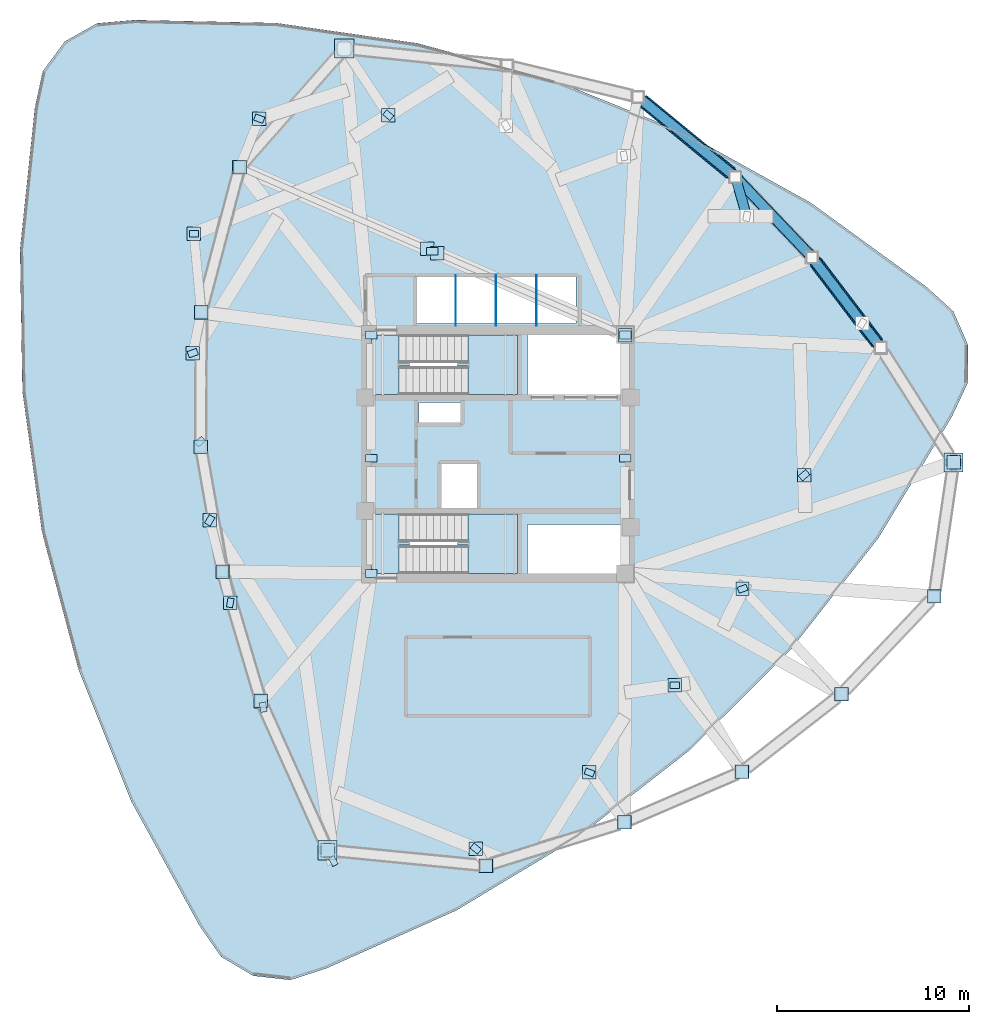
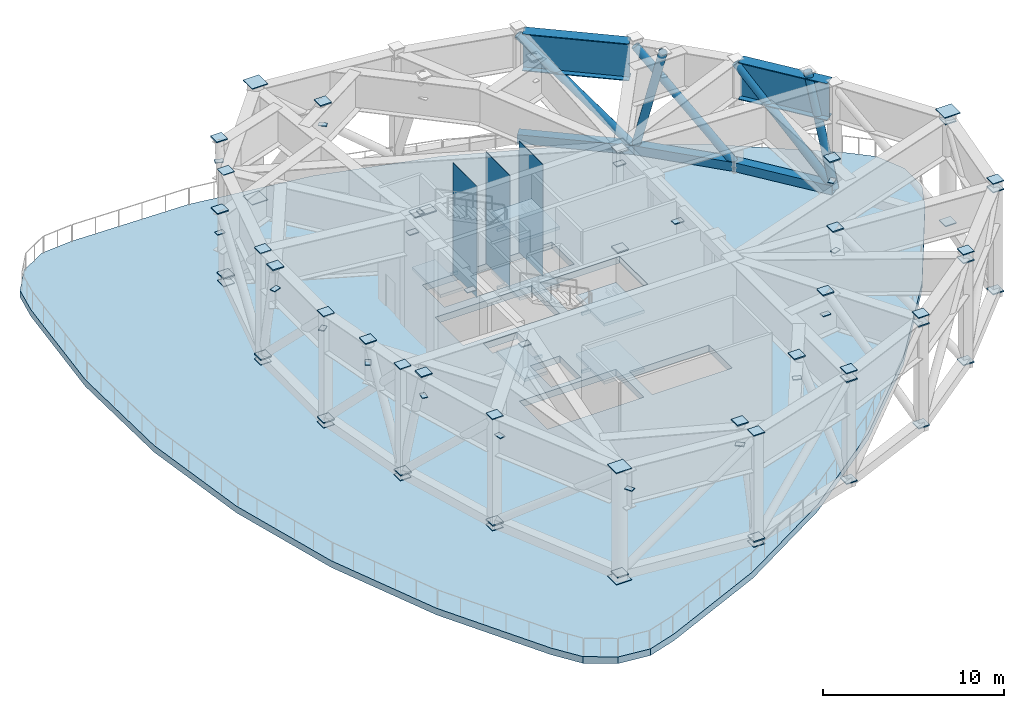
# One storey, part 3 of 8: 76 plates, 8 members, 7 slabs, 2 beams, 2 elements without a shape of their own.
"""IFC4 building model written with IfcOpenShell, lengths in metres."""

import ifcopenshell
import ifcopenshell.guid

model = None  # the IFC model being written
_history = None  # IfcOwnerHistory: only IFC2X3 demands one
_inside = {}  # id of a spatial element -> (the spatial element, [elements in it])
_under = {}  # id of a project, library or spatial element -> (it, [spatial elements below it])
_declared = {}  # id of a project -> (the project, [libraries it declares])
_typed = {}  # id of a type object -> (the type object, [elements of that type])
_made_of = {}  # id of a material, layer set ... -> (it, [elements and type objects made of it])


def new_model(schema):
    """Start an empty IFC model of exactly this schema.

    Asked for "IFC4X3", IfcOpenShell would pick the latest addendum, in which some entities
    have other attributes; the version numbers below select the first issue.
    IFC2X3 requires an IfcOwnerHistory on every rooted entity: one is made here for all.
    """
    global model, _history
    if schema == "IFC4X3":
        model = ifcopenshell.file(schema_version=(4, 3, 0, 0))
    else:
        model = ifcopenshell.file(schema=schema)
    _inside.clear()
    _under.clear()
    _declared.clear()
    _typed.clear()
    _made_of.clear()
    _history = None
    if model.schema == "IFC2X3":
        org = make("IfcOrganization", Name="unknown")
        user = make(
            "IfcPersonAndOrganization",
            ThePerson=make("IfcPerson", FamilyName="unknown"),
            TheOrganization=org,
        )
        app = make(
            "IfcApplication",
            ApplicationDeveloper=org,
            Version="unknown",
            ApplicationFullName="unknown",
            ApplicationIdentifier="unknown",
        )
        _history = make(
            "IfcOwnerHistory",
            OwningUser=user,
            OwningApplication=app,
            ChangeAction="ADDED",
            CreationDate=0,
        )
    return model


def make(cls, **values):
    """One entity of the class cls with the attributes given. An attribute that is None is left unset."""
    return model.create_entity(
        cls, **{name: value for name, value in values.items() if value is not None}
    )


def rooted(cls, **values):
    """An entity with a GlobalId (a new one), such as an element, a storey or a relation."""
    return make(cls, GlobalId=ifcopenshell.guid.new(), OwnerHistory=_history, **values)


def si_unit(unit_type, name, prefix=None):
    """IfcSIUnit, for example si_unit("LENGTHUNIT", "METRE", prefix="MILLI")."""
    return make("IfcSIUnit", UnitType=unit_type, Prefix=prefix, Name=name)


def assignment(units):
    """IfcUnitAssignment: the units of a project."""
    return None if units is None else make("IfcUnitAssignment", Units=units)


def point(xyz):
    """IfcCartesianPoint."""
    return None if xyz is None else make("IfcCartesianPoint", Coordinates=xyz)


def direction(xyz):
    """IfcDirection."""
    return None if xyz is None else make("IfcDirection", DirectionRatios=xyz)


def frame(location, z_axis=None, x_axis=None):
    """IfcAxis2Placement3D, a coordinate frame: its origin and axes. An axis left out is left unset."""
    return make(
        "IfcAxis2Placement3D",
        Location=point(location),
        Axis=direction(z_axis),
        RefDirection=direction(x_axis),
    )


def frame_2d(location, x_axis=None):
    """IfcAxis2Placement2D, a coordinate frame in the plane: its origin and x axis."""
    return make(
        "IfcAxis2Placement2D", Location=point(location), RefDirection=direction(x_axis)
    )


def origin():
    """The frame at (0, 0, 0) with its axes left unset."""
    return frame((0.0, 0.0, 0.0))


def origin_2d():
    """The frame at (0, 0) in the plane with its x axis left unset."""
    return frame_2d((0.0, 0.0))


def place(relative_to, where):
    """IfcLocalPlacement: puts the frame where relative to a parent placement (None: the world)."""
    return make(
        "IfcLocalPlacement", PlacementRelTo=relative_to, RelativePlacement=where
    )


def context(
    kind, dimensions, precision=None, world=None, true_north=None, identifier=None
):
    """IfcGeometricRepresentationContext, for example the 3D "Model" context."""
    return make(
        "IfcGeometricRepresentationContext",
        ContextIdentifier=identifier,
        ContextType=kind,
        CoordinateSpaceDimension=dimensions,
        Precision=precision,
        WorldCoordinateSystem=world,
        TrueNorth=true_north,
    )


def subcontext(parent, identifier, kind, view, scale=None):
    """IfcGeometricRepresentationSubContext, for example "Body" below "Model"."""
    return make(
        "IfcGeometricRepresentationSubContext",
        ContextIdentifier=identifier,
        ContextType=kind,
        ParentContext=parent,
        TargetScale=scale,
        TargetView=view,
    )


def project(units=None, contexts=None):
    """IfcProject with its units and contexts."""
    return rooted(
        "IfcProject",
        Name="project",
        RepresentationContexts=contexts,
        UnitsInContext=assignment(units),
    )


def spatial(cls, under=None, at=None, **own):
    """A site, building, storey or space (cls), placed at a placement, below another one or the project."""
    s = rooted(cls, ObjectPlacement=at, **own)
    if under is not None:
        _under.setdefault(under.id(), (under, []))[1].append(s)
    return s


def polyline(points):
    """IfcPolyline through the points."""
    return make("IfcPolyline", Points=[point(p) for p in points])


def profile(cls, at=None, kind="AREA", **sizes):
    """A parametric profile (cls). Its sizes go by their IFC names, for example OverallWidth=200.0."""
    return make(cls, ProfileType=kind, Position=at, **sizes)


def rectangle(**sizes):
    """IfcRectangleProfileDef."""
    return profile("IfcRectangleProfileDef", **sizes)


def hollow_rectangle(**sizes):
    """IfcRectangleHollowProfileDef."""
    return profile("IfcRectangleHollowProfileDef", **sizes)


def hollow_circle(**sizes):
    """IfcCircleHollowProfileDef."""
    return profile("IfcCircleHollowProfileDef", **sizes)


def i_section(**sizes):
    """IfcIShapeProfileDef."""
    return profile("IfcIShapeProfileDef", **sizes)


def outline(outer, holes=None, kind="AREA"):
    """IfcArbitraryClosedProfileDef: a profile drawn as a closed curve; with holes, ...WithVoids."""
    if holes is None:
        return make("IfcArbitraryClosedProfileDef", ProfileType=kind, OuterCurve=outer)
    return make(
        "IfcArbitraryProfileDefWithVoids",
        ProfileType=kind,
        OuterCurve=outer,
        InnerCurves=holes,
    )


def extrude(swept, where, along, depth):
    """IfcExtrudedAreaSolid: the profile swept, set in the frame where, extruded along a direction by depth."""
    return make(
        "IfcExtrudedAreaSolid",
        SweptArea=swept,
        Position=where,
        ExtrudedDirection=direction(along),
        Depth=depth,
    )


def shape(context_of_items, identifier, shape_type, items):
    """IfcShapeRepresentation: the items that make up one representation, for example the "Body"."""
    return make(
        "IfcShapeRepresentation",
        ContextOfItems=context_of_items,
        RepresentationIdentifier=identifier,
        RepresentationType=shape_type,
        Items=items,
    )


def source(mapping_origin, context_of_items, identifier, shape_type, items):
    """IfcRepresentationMap: a shape defined once, which mapped items show again and again."""
    return make(
        "IfcRepresentationMap",
        MappingOrigin=mapping_origin,
        MappedRepresentation=shape(context_of_items, identifier, shape_type, items),
    )


def transform(
    local_origin,
    x_axis=None,
    y_axis=None,
    z_axis=None,
    scale=None,
    scale2=None,
    scale3=None,
    uniform=True,
):
    """IfcCartesianTransformationOperator3D, or its non-uniform kind. x_axis, y_axis, z_axis: its Axis1, 2, 3."""
    if uniform:
        return make(
            "IfcCartesianTransformationOperator3D",
            Axis1=direction(x_axis),
            Axis2=direction(y_axis),
            LocalOrigin=point(local_origin),
            Scale=scale,
            Axis3=direction(z_axis),
        )
    return make(
        "IfcCartesianTransformationOperator3DnonUniform",
        Axis1=direction(x_axis),
        Axis2=direction(y_axis),
        LocalOrigin=point(local_origin),
        Scale=scale,
        Axis3=direction(z_axis),
        Scale2=scale2,
        Scale3=scale3,
    )


def mapped(mapping_source, mapping_target):
    """IfcMappedItem: shows the shape of a source again, moved by a transform."""
    return make(
        "IfcMappedItem", MappingSource=mapping_source, MappingTarget=mapping_target
    )


def material(Name=None, Category=None):
    """IfcMaterial."""
    return make("IfcMaterial", Name=Name, Category=Category)


def layer(
    of_material, thickness, ventilated=None, Name=None, Category=None, Priority=None
):
    """IfcMaterialLayer: one layer of a wall or slab, of a material (None: an air gap)."""
    return make(
        "IfcMaterialLayer",
        Material=of_material,
        LayerThickness=thickness,
        IsVentilated=ventilated,
        Name=Name,
        Category=Category,
        Priority=Priority,
    )


def layer_set(layers, Name=None):
    """IfcMaterialLayerSet."""
    return make("IfcMaterialLayerSet", MaterialLayers=layers, LayerSetName=Name)


def material_profile(
    of_material, cross_section, Name=None, Category=None, Priority=None
):
    """IfcMaterialProfile: a cross section and its material."""
    return make(
        "IfcMaterialProfile",
        Name=Name,
        Material=of_material,
        Profile=cross_section,
        Priority=Priority,
        Category=Category,
    )


def profile_set(profiles, Name=None, composite=None):
    """IfcMaterialProfileSet."""
    return make(
        "IfcMaterialProfileSet",
        Name=Name,
        MaterialProfiles=profiles,
        CompositeProfile=composite,
    )


def made_of(thing, what):
    """Note that an element or type object is made of a material, layer set ...; save() writes the relation."""
    if what is not None:
        _made_of.setdefault(what.id(), (what, []))[1].append(thing)
    return thing


def type_object(cls, material=None, **own):
    """A type object (cls), such as IfcWallType, which elements share."""
    return made_of(rooted(cls, **own), material)


def type_shapes(of_type, sources):
    """Give a type object the sources (RepresentationMaps) that its elements show as mapped items."""
    of_type.RepresentationMaps = sources


def element(
    cls,
    number,
    at=None,
    inside=None,
    cuts=None,
    type_object=None,
    material=None,
    context=None,
    identifier="Body",
    shape_type=None,
    held_by="IfcProductDefinitionShape",
    body=None,
    shapes=None,
    **own,
):
    """One element of the class cls, such as IfcWall. Its Tag is "e" and its number.

    at: its placement. inside: the storey or other place that contains it. cuts: it is an
    opening in that element (IfcRelVoidsElement). A single representation is given by context,
    identifier, shape_type and body (its items); several are given by shapes. held_by: the class
    of the entity that holds the representations. save() writes the other relations.
    """
    e = rooted(cls, Tag="e%d" % number, ObjectPlacement=at, **own)
    if body is not None:
        shapes = [shape(context, identifier, shape_type, body)]
    if shapes is not None:
        e.Representation = make(held_by, Representations=shapes)
    if inside is not None:
        _inside.setdefault(inside.id(), (inside, []))[1].append(e)
    if cuts is not None:
        rooted(
            "IfcRelVoidsElement", RelatingBuildingElement=cuts, RelatedOpeningElement=e
        )
    if type_object is not None:
        _typed.setdefault(type_object.id(), (type_object, []))[1].append(e)
    return made_of(e, material)


def aggregate(whole, parts):
    """IfcRelAggregates: a whole, such as a stair, and the parts it consists of."""
    return rooted("IfcRelAggregates", RelatingObject=whole, RelatedObjects=parts)


def save(model, path):
    """Write the relations noted so far, then the file.

    IfcRelAggregates (storeys below a building ...), IfcRelContainedInSpatialStructure (elements
    in a storey), IfcRelDefinesByType, IfcRelAssociatesMaterial and IfcRelDeclares: one each for
    every whole, place, type object, material and project.
    """
    for whole, parts in _under.values():
        aggregate(whole, parts)
    for where, things in _inside.values():
        rooted(
            "IfcRelContainedInSpatialStructure",
            RelatedElements=things,
            RelatingStructure=where,
        )
    for kind, things in _typed.values():
        rooted("IfcRelDefinesByType", RelatedObjects=things, RelatingType=kind)
    for what, things in _made_of.values():
        rooted("IfcRelAssociatesMaterial", RelatedObjects=things, RelatingMaterial=what)
    for by, libraries in _declared.values():
        rooted("IfcRelDeclares", RelatingContext=by, RelatedDefinitions=libraries)
    model.write(path)


model = new_model("IFC4")

# Units and contexts
model_context = context("Model", 3, precision=1e-05, world=origin(), true_north=direction((0.0, 1.0)))
body_context = subcontext(model_context, "Body", "Model", "MODEL_VIEW")
ifc_project = project(units=[si_unit("LENGTHUNIT", "METRE"), si_unit("AREAUNIT", "SQUARE_METRE"), si_unit("VOLUMEUNIT", "CUBIC_METRE"), si_unit("PLANEANGLEUNIT", "RADIAN"), si_unit("MASSUNIT", "GRAM", prefix="KILO")], contexts=[model_context])

# Site, building, storey
site_placement = place(None, origin())
site = spatial("IfcSite", under=ifc_project, at=site_placement, CompositionType="ELEMENT")
building_placement = place(site_placement, origin())
building = spatial("IfcBuilding", under=site, at=building_placement, Name="Tavelor Broadcast Tower", CompositionType="ELEMENT")
storey_placement = place(building_placement, frame((0.0, 0.0, 209.14990234375)))
storey = spatial("IfcBuildingStorey", under=building, at=storey_placement, Name="L50", CompositionType="ELEMENT", Elevation=209.14990234375)

# Beams
ifc_material_1 = material(Name="Steel S460", Category="steel")
ifc_material_profile_1 = material_profile(ifc_material_1, i_section(OverallWidth=0.699951171875, OverallDepth=2.5, WebThickness=0.031982421875, FlangeThickness=0.052001953125, at=origin_2d()), Name="PG 2500x700")
ifc_profile_set_1 = profile_set([ifc_material_profile_1], Name="Steel S460")
beam_type = type_object("IfcBeamType", Name="Opposite Slide Transfer Girder HEB900", PredefinedType="BEAM", material=ifc_profile_set_1)
beam_1_placement = place(storey_placement, frame((69.711669921875, 50.7734375, 6.25), z_axis=(-0.605502841959, 0.795843143075, 0.0), x_axis=(-0.795843143075, -0.605502841959, 0.0)))
element("IfcBeam", 1, at=beam_1_placement, inside=storey, type_object=beam_type, Name="L50 Framed-Tube Ring Spandrel 14", PredefinedType="BEAM", context=body_context, shape_type="SweptSolid", body=[
    extrude(i_section(OverallWidth=0.699951171875, OverallDepth=2.5, WebThickness=0.031982421875, FlangeThickness=0.052001953125, at=origin_2d()), origin(), (0.0, 0.0, 1.0), 5.310302734375),
])
beam_2_placement = place(storey_placement, frame((62.1083984375, 59.59912109375, 6.25), z_axis=(-0.772717651191, 0.634749896839, 0.0), x_axis=(-0.634749896839, -0.772717651191, 0.0)))
element("IfcBeam", 2, at=beam_2_placement, inside=storey, type_object=beam_type, Name="L50 Framed-Tube Ring Spandrel 16", PredefinedType="BEAM", context=body_context, shape_type="SweptSolid", body=[
    extrude(i_section(OverallWidth=0.699951171875, OverallDepth=2.5, WebThickness=0.031982421875, FlangeThickness=0.052001953125, at=origin_2d()), origin(), (0.0, 0.0, 1.0), 5.965087890625),
])

# Members
ifc_material_profile_2 = material_profile(ifc_material_1, hollow_rectangle(XDim=0.60009765625, YDim=0.60009765625, WallThickness=0.035888671875, at=origin_2d()), Name="SHS 600x600x36")
ifc_profile_set_2 = profile_set([ifc_material_profile_2], Name="Steel S460")
member_type_1 = type_object("IfcMemberType", Name="Wind Floor Belt Truss Chord Member SHS600", PredefinedType="CHORD", material=ifc_profile_set_2)
member_1_placement = place(storey_placement, frame((69.885986328125, 50.544189453125, 0.35009765625), z_axis=(-0.605480714733, 0.795859977689, 0.0), x_axis=(-0.795859977689, -0.605480714733, 0.0)))
element("IfcMember", 3, at=member_1_placement, inside=storey, type_object=member_type_1, Name="L50 Belt Truss Lower Chord Member 14", PredefinedType="CHORD", context=body_context, shape_type="SweptSolid", body=[
    extrude(hollow_rectangle(XDim=0.60009765625, YDim=0.60009765625, WallThickness=0.035888671875, at=origin_2d()), origin(), (0.0, 0.0, 1.0), 5.88623046875),
])
member_2_placement = place(storey_placement, frame((66.322021484375, 55.228759765625, 0.35009765625), z_axis=(-0.68993754503, 0.723868899704, 0.0), x_axis=(-0.723868899704, -0.68993754503, 0.0)))
element("IfcMember", 4, at=member_2_placement, inside=storey, type_object=member_type_1, Name="L50 Belt Truss Lower Chord Member 15", PredefinedType="CHORD", context=body_context, shape_type="SweptSolid", body=[
    extrude(hollow_rectangle(XDim=0.60009765625, YDim=0.60009765625, WallThickness=0.035888671875, at=origin_2d()), origin(), (0.0, 0.0, 1.0), 5.784912109375),
])
member_3_placement = place(storey_placement, frame((62.330810546875, 59.416259765625, 0.35009765625), z_axis=(-0.772693562508, 0.634779220248, 0.0), x_axis=(-0.634779220248, -0.772693562508, 0.0)))
element("IfcMember", 5, at=member_3_placement, inside=storey, type_object=member_type_1, Name="L50 Belt Truss Lower Chord Member 16", PredefinedType="CHORD", context=body_context, shape_type="SweptSolid", body=[
    extrude(hollow_rectangle(XDim=0.60009765625, YDim=0.60009765625, WallThickness=0.035888671875, at=origin_2d()), origin(), (0.0, 0.0, 1.0), 6.541015625),
])
ifc_material_profile_3 = material_profile(ifc_material_1, hollow_circle(Radius=0.25390625, WallThickness=0.02490234375, at=origin_2d()), Name="CHS 508x25")
ifc_profile_set_3 = profile_set([ifc_material_profile_3], Name="Steel S460")
member_type_2 = type_object("IfcMemberType", Name="Wind Floor Belt Truss Diagonal CHS508", PredefinedType="BRACE", material=ifc_profile_set_3)
member_4_placement = place(storey_placement, frame((69.885986328125, 50.544189453125, 0.35009765625), z_axis=(-0.394607950755, 0.518683200376, 0.758453889731), x_axis=(-0.795859977689, -0.605480714733, 0.0)))
element("IfcMember", 6, at=member_4_placement, inside=storey, type_object=member_type_2, Name="L50 Belt Truss Web Diagonal 14", PredefinedType="BRACE", context=body_context, shape_type="SweptSolid", body=[
    extrude(hollow_circle(Radius=0.25390625, WallThickness=0.02490234375, at=origin_2d()), origin(), (0.0, 0.0, 1.0), 9.03173828125),
])
member_5_placement = place(storey_placement, frame((66.322021484375, 55.228759765625, 0.35009765625), z_axis=(-0.44515065752, 0.467043312808, 0.764010102074), x_axis=(-0.723868899704, -0.68993754503, 0.0)))
element("IfcMember", 7, at=member_5_placement, inside=storey, type_object=member_type_2, Name="L50 Belt Truss Web Diagonal 15", PredefinedType="BRACE", context=body_context, shape_type="SweptSolid", body=[
    extrude(hollow_circle(Radius=0.25390625, WallThickness=0.02490234375, at=origin_2d()), origin(), (0.0, 0.0, 1.0), 8.966064453125),
])
member_6_placement = place(storey_placement, frame((62.330810546875, 59.416259765625, 0.35009765625), z_axis=(-0.53362366039, 0.438379750375, 0.723235081791), x_axis=(-0.634779220248, -0.772693562508, 0.0)))
element("IfcMember", 8, at=member_6_placement, inside=storey, type_object=member_type_2, Name="L50 Belt Truss Web Diagonal 16", PredefinedType="BRACE", context=body_context, shape_type="SweptSolid", body=[
    extrude(hollow_circle(Radius=0.25390625, WallThickness=0.02490234375, at=origin_2d()), origin(), (0.0, 0.0, 1.0), 9.471435546875),
])
member_7_placement = place(storey_placement, frame((69.885986328125, 50.544189453125, 0.35009765625), z_axis=(-0.126871318208, 0.164759619906, 0.978140039189), x_axis=(-0.792314447392, -0.610112953848, 0.0)))
element("IfcMember", 9, at=member_7_placement, inside=storey, type_object=member_type_2, Name="L50 Slide Transfer Raking Strut 13", PredefinedType="BRACE", context=body_context, shape_type="SweptSolid", body=[
    extrude(hollow_circle(Radius=0.25390625, WallThickness=0.02490234375, at=origin_2d()), origin(), (0.0, 0.0, 1.0), 7.616455078125),
])
member_8_placement = place(storey_placement, frame((62.330810546875, 59.416259765625, 0.35009765625), z_axis=(0.076955119334, -0.264791131035, 0.961230235965), x_axis=(0.960268241207, 0.279078671576, 0.0)))
element("IfcMember", 10, at=member_8_placement, inside=storey, type_object=member_type_2, Name="L50 Slide Transfer Raking Strut 14", PredefinedType="BRACE", context=body_context, shape_type="SweptSolid", body=[
    extrude(hollow_circle(Radius=0.25390625, WallThickness=0.02490234375, at=origin_2d()), origin(), (0.0, 0.0, 1.0), 7.75048828125),
])

# Stair, slabs
ifc_material_2 = material(Name="Concrete C40/50", Category="concrete")
stair_type = type_object("IfcStairType", Name="Reinforced Concrete Protected Dogleg Stair 1450 mm", PredefinedType="HALF_TURN_STAIR", material=ifc_material_2)
stair_1_placement = place(storey_placement, origin())
stair_1 = element("IfcStair", 11, at=stair_1_placement, inside=storey, type_object=stair_type, Name="L50 Protected Core Exit Stair ST1", PredefinedType="HALF_TURN_STAIR")
ifc_layer_1 = layer(ifc_material_2, 0.199951171875)
ifc_layer_set_1 = layer_set([ifc_layer_1], Name="Concrete C40/50")
slab_type_1 = type_object("IfcSlabType", Name="Reinforced Concrete Stair Half-Landing Slab 200 mm", PredefinedType="LANDING", material=ifc_layer_set_1)
slab_1_placement = place(storey_placement, frame((0.0, 0.0, 1.75)))
slab_1 = element("IfcSlab", 12, at=slab_1_placement, type_object=slab_type_1, Name="ST1 landing 1", PredefinedType="LANDING", context=body_context, shape_type="SweptSolid", body=[
    extrude(outline(polyline([(48.445068359375, 49.590087890625), (48.445068359375, 48.094970703125), (51.0048828125, 48.094970703125), (51.0048828125, 51.205078125), (48.445068359375, 51.205078125), (48.445068359375, 49.7099609375), (47.905029296875, 49.7099609375), (47.905029296875, 49.590087890625), (48.445068359375, 49.590087890625)])), origin(), (0.0, 0.0, 1.0), 0.2001953125),
])
slab_2_placement = place(storey_placement, frame((0.0, 0.0, 3.7001953125)))
slab_2 = element("IfcSlab", 13, at=slab_2_placement, type_object=slab_type_1, Name="ST1 landing 2", PredefinedType="LANDING", context=body_context, shape_type="SweptSolid", body=[
    extrude(outline(polyline([(43.39501953125, 48.094970703125), (44.85498046875, 48.094970703125), (44.85498046875, 49.590087890625), (45.39501953125, 49.590087890625), (45.39501953125, 49.7099609375), (44.85498046875, 49.7099609375), (44.85498046875, 51.205078125), (43.39501953125, 51.205078125), (43.39501953125, 48.094970703125)])), origin(), (0.0, 0.0, 1.0), 0.199951171875),
])
slab_3_placement = place(storey_placement, frame((0.0, 0.0, 5.650146484375)))
slab_3 = element("IfcSlab", 14, at=slab_3_placement, type_object=slab_type_1, Name="ST1 landing 3", PredefinedType="LANDING", context=body_context, shape_type="SweptSolid", body=[
    extrude(outline(polyline([(48.445068359375, 49.590087890625), (48.445068359375, 48.094970703125), (51.0048828125, 48.094970703125), (51.0048828125, 51.205078125), (48.445068359375, 51.205078125), (48.445068359375, 49.7099609375), (47.905029296875, 49.7099609375), (47.905029296875, 49.590087890625), (48.445068359375, 49.590087890625)])), origin(), (0.0, 0.0, 1.0), 0.199951171875),
])
aggregate(stair_1, [slab_1, slab_2, slab_3])

stair_2_placement = place(storey_placement, origin())
stair_2 = element("IfcStair", 15, at=stair_2_placement, inside=storey, type_object=stair_type, Name="L50 Protected Core Exit Stair ST2", PredefinedType="HALF_TURN_STAIR")
slab_4_placement = place(storey_placement, frame((0.0, 0.0, 1.75)))
slab_4 = element("IfcSlab", 16, at=slab_4_placement, type_object=slab_type_1, Name="ST2 landing 1", PredefinedType="LANDING", context=body_context, shape_type="SweptSolid", body=[
    extrude(outline(polyline([(48.445068359375, 40.2900390625), (48.445068359375, 38.794921875), (51.0048828125, 38.794921875), (51.0048828125, 41.905029296875), (48.445068359375, 41.905029296875), (48.445068359375, 40.409912109375), (47.905029296875, 40.409912109375), (47.905029296875, 40.2900390625), (48.445068359375, 40.2900390625)])), origin(), (0.0, 0.0, 1.0), 0.2001953125),
])
slab_5_placement = place(storey_placement, frame((0.0, 0.0, 3.7001953125)))
slab_5 = element("IfcSlab", 17, at=slab_5_placement, type_object=slab_type_1, Name="ST2 landing 2", PredefinedType="LANDING", context=body_context, shape_type="SweptSolid", body=[
    extrude(outline(polyline([(43.39501953125, 38.794921875), (44.85498046875, 38.794921875), (44.85498046875, 40.2900390625), (45.39501953125, 40.2900390625), (45.39501953125, 40.409912109375), (44.85498046875, 40.409912109375), (44.85498046875, 41.905029296875), (43.39501953125, 41.905029296875), (43.39501953125, 38.794921875)])), origin(), (0.0, 0.0, 1.0), 0.199951171875),
])
slab_6_placement = place(storey_placement, frame((0.0, 0.0, 5.650146484375)))
slab_6 = element("IfcSlab", 18, at=slab_6_placement, type_object=slab_type_1, Name="ST2 landing 3", PredefinedType="LANDING", context=body_context, shape_type="SweptSolid", body=[
    extrude(outline(polyline([(48.445068359375, 40.2900390625), (48.445068359375, 38.794921875), (51.0048828125, 38.794921875), (51.0048828125, 41.905029296875), (48.445068359375, 41.905029296875), (48.445068359375, 40.409912109375), (47.905029296875, 40.409912109375), (47.905029296875, 40.2900390625), (48.445068359375, 40.2900390625)])), origin(), (0.0, 0.0, 1.0), 0.199951171875),
])
aggregate(stair_2, [slab_4, slab_5, slab_6])

# Slab
ifc_layer_2 = layer(ifc_material_2, 0.449951171875)
ifc_layer_set_2 = layer_set([ifc_layer_2], Name="Concrete C40/50")
slab_type_2 = type_object("IfcSlabType", Name="Wind Floor Exterior Structural Deck 450 mm", PredefinedType="FLOOR", material=ifc_layer_set_2)
slab_7_placement = place(storey_placement, frame((0.0, 0.0, -0.449951171875)))
element("IfcSlab", 19, at=slab_7_placement, inside=storey, type_object=slab_type_2, Name="L50 Open Wind Deck Slab", PredefinedType="FLOOR", context=body_context, shape_type="SweptSolid", body=[
    extrude(outline(polyline([(31.114501953125, 67.566650390625), (29.181396484375, 67.399169921875), (27.48828125, 66.451171875), (26.33544921875, 64.89013671875), (25.927001953125, 62.993408203125), (25.158203125, 55.647705078125), (25.28369140625, 48.2626953125), (26.302001953125, 40.947509765625), (28.197998046875, 33.80908203125), (30.944091796875, 26.952880859375), (34.49951171875, 20.47900390625), (35.611083984375, 18.888671875), (37.27880859375, 17.896484375), (39.206787109375, 17.678466796875), (41.0537109375, 18.273193359375), (47.7998046875, 21.2802734375), (54.132568359375, 25.081298828125), (59.95849609375, 29.620849609375), (65.1923828125, 34.83203125), (69.75732421875, 40.63818359375), (73.5859375, 46.954345703125), (74.40771484375, 48.712158203125), (74.43310546875, 50.65234375), (73.65771484375, 52.431396484375), (72.218994140625, 53.7333984375), (66.241943359375, 58.072265625), (59.783935546875, 61.656005859375), (52.939453125, 64.431640625), (45.8095703125, 66.35888671875), (38.498779296875, 67.408935546875), (31.114501953125, 67.566650390625)]), holes=[polyline([(56.60009765625, 41.35009765625), (56.60009765625, 38.800048828125), (51.52001953125, 38.800048828125), (51.52001953125, 41.35009765625), (56.60009765625, 41.35009765625)]), polyline([(50.99609375, 38.803955078125), (44.85400390625, 38.803955078125), (44.85400390625, 41.89599609375), (50.99609375, 41.89599609375), (50.99609375, 38.803955078125)]), polyline([(47.050048828125, 42.199951171875), (47.050048828125, 44.550048828125), (48.949951171875, 44.550048828125), (48.949951171875, 42.199951171875), (47.050048828125, 42.199951171875)]), polyline([(48.050048828125, 46.64990234375), (45.89990234375, 46.64990234375), (45.89990234375, 47.699951171875), (48.050048828125, 47.699951171875), (48.050048828125, 46.64990234375)]), polyline([(50.99609375, 48.10400390625), (44.85400390625, 48.10400390625), (44.85400390625, 51.196044921875), (50.99609375, 51.196044921875), (50.99609375, 48.10400390625)]), polyline([(56.60009765625, 48.10009765625), (51.52001953125, 48.10009765625), (51.52001953125, 51.199951171875), (56.60009765625, 51.199951171875), (56.60009765625, 48.10009765625)]), polyline([(54.050048828125, 51.800048828125), (45.800048828125, 51.800048828125), (45.800048828125, 54.25), (54.050048828125, 54.25), (54.050048828125, 51.800048828125)])]), origin(), (0.0, 0.0, 1.0), 0.449951171875),
])

# Plates
ifc_layer_3 = layer(ifc_material_1, 0.050048828125)
ifc_layer_set_3 = layer_set([ifc_layer_3], Name="Steel S460")
plate_type_1 = type_object("IfcPlateType", Name="Tube Hollow-End Cap Plate KN05 700x700x50", PredefinedType="USERDEFINED", material=ifc_layer_set_3)
shared_shape_1 = source(origin(), body_context, "Body", "SweptSolid", [
    extrude(rectangle(XDim=0.699951171875, YDim=0.699951171875, at=origin_2d()), origin(), (0.0, 0.0, 1.0), 0.054931640625),
])
for number, where, z_axis, x_axis, name in (
    (20, (36.567626953125, 59.91064453125, -0.02734375), (0.0, 0.0, 1.0), (1.0, 0.0, 0.0), "L50 Hollow End Cap Plate KN05 #1433"),
    (21, (36.567626953125, 59.91064453125, 7.47265625), (0.0, 0.0, 1.0), (1.0, 0.0, 0.0), "L50 Hollow End Cap Plate KN05 #1434"),
    (22, (34.5751953125, 52.37939453125, -0.02734375), (0.0, 0.0, 1.0), (1.0, 0.0, 0.0), "L50 Hollow End Cap Plate KN05 #1435"),
    (23, (34.5751953125, 52.37939453125, 7.47265625), (0.0, 0.0, 1.0), (1.0, 0.0, 0.0), "L50 Hollow End Cap Plate KN05 #1436"),
    (24, (34.54638671875, 45.399169921875, -0.02734375), (0.0, 0.0, 1.0), (1.0, 0.0, 0.0), "L50 Hollow End Cap Plate KN05 #1437"),
    (25, (34.54638671875, 45.399169921875, 7.47265625), (0.0, 0.0, 1.0), (1.0, 0.0, 0.0), "L50 Hollow End Cap Plate KN05 #1438"),
    (26, (35.680908203125, 38.89990234375, -0.02734375), (0.0, 0.0, 1.0), (1.0, 0.0, 0.0), "L50 Hollow End Cap Plate KN05 #1439"),
    (27, (35.680908203125, 38.89990234375, 7.47265625), (0.0, 0.0, 1.0), (1.0, 0.0, 0.0), "L50 Hollow End Cap Plate KN05 #1440"),
    (28, (37.668212890625, 32.1904296875, -0.02734375), (0.0, 0.0, 1.0), (1.0, 0.0, 0.0), "L50 Hollow End Cap Plate KN05 #1441"),
    (29, (37.668212890625, 32.1904296875, 7.47265625), (0.0, 0.0, 1.0), (1.0, 0.0, 0.0), "L50 Hollow End Cap Plate KN05 #1442"),
    (30, (49.366455078125, 23.618896484375, -0.02734375), (0.0, 0.0, 1.0), (1.0, 0.0, 0.0), "L50 Hollow End Cap Plate KN05 #1445"),
    (31, (49.366455078125, 23.618896484375, 7.47265625), (0.0, 0.0, 1.0), (1.0, 0.0, 0.0), "L50 Hollow End Cap Plate KN05 #1446"),
    (32, (56.56103515625, 25.872802734375, 7.7724609375), (0.0, 0.0, 1.0), (1.0, 0.0, 0.0), "L50 Hollow End Cap Plate KN05 #1447"),
    (33, (62.669189453125, 28.503173828125, 7.7724609375), (0.0, 0.0, 1.0), (1.0, 0.0, 0.0), "L50 Hollow End Cap Plate KN05 #1448"),
    (34, (67.84228515625, 32.53173828125, 7.7724609375), (0.0, 0.0, 1.0), (1.0, 0.0, 0.0), "L50 Hollow End Cap Plate KN05 #1449"),
    (35, (72.6591796875, 37.607421875, 7.7724609375), (0.0, 0.0, 1.0), (1.0, 0.0, 0.0), "L50 Hollow End Cap Plate KN05 #1450"),
):
    element("IfcPlate", number, at=place(storey_placement, frame(where, z_axis=z_axis, x_axis=x_axis)), inside=storey, type_object=plate_type_1, Name=name, ObjectType="CAP PLATE", PredefinedType="USERDEFINED", context=body_context, shape_type="MappedRepresentation", body=[
        mapped(shared_shape_1, transform((0.0, 0.0, 0.0), scale=1.0)),
    ])
shared_shape_2 = source(origin(), body_context, "Body", "SweptSolid", [
    extrude(rectangle(XDim=0.699951171875, YDim=0.699951171875, at=origin_2d()), origin(), (0.0, 0.0, 1.0), 0.074951171875),
])
for number, where, z_axis, x_axis, name in (
    (36, (56.61328125, 51.1943359375, 0.50830078125), (0.0, 0.0, 1.0), (1.0, 0.0, 0.0), "L50 Hollow End Cap Plate KN05 #1460"),
    (37, (36.554443359375, 59.91650390625, 0.50830078125), (0.0, 0.0, 1.0), (1.0, 0.0, 0.0), "L50 Hollow End Cap Plate KN05 #1461"),
    (38, (46.31640625, 55.671630859375, 3.7734375), (0.0, 0.0, 1.0), (1.0, 0.0, 0.0), "L50 Hollow End Cap Plate KN05 #1462"),
    (39, (46.851318359375, 55.439208984375, 3.9521484375), (0.0, 0.0, 1.0), (1.0, 0.0, 0.0), "L50 Hollow End Cap Plate KN05 #1463"),
    (40, (56.61328125, 51.1943359375, 7.216796875), (0.0, 0.0, 1.0), (1.0, 0.0, 0.0), "L50 Hollow End Cap Plate KN05 #1464"),
    (41, (34.5712890625, 52.36474609375, 0.3125), (0.0, 0.0, 1.0), (1.0, 0.0, 0.0), "L50 Hollow End Cap Plate KN05 #1466"),
    (42, (34.54638671875, 45.384033203125, 0.3125), (0.0, 0.0, 1.0), (1.0, 0.0, 0.0), "L50 Hollow End Cap Plate KN05 #1467"),
    (43, (35.68359375, 38.885009765625, 0.3125), (0.0, 0.0, 1.0), (1.0, 0.0, 0.0), "L50 Hollow End Cap Plate KN05 #1468"),
    (44, (37.67236328125, 32.176025390625, 0.3125), (0.0, 0.0, 1.0), (1.0, 0.0, 0.0), "L50 Hollow End Cap Plate KN05 #1469"),
    (45, (41.144775390625, 24.41015625, 0.3125), (0.0, 0.0, 1.0), (1.0, 0.0, 0.0), "L50 Hollow End Cap Plate KN05 #1470"),
    (46, (49.38134765625, 23.617431640625, 0.3125), (0.0, 0.0, 1.0), (1.0, 0.0, 0.0), "L50 Hollow End Cap Plate KN05 #1471"),
    (47, (56.5751953125, 25.877197265625, 0.3125), (0.0, 0.0, 1.0), (1.0, 0.0, 0.0), "L50 Hollow End Cap Plate KN05 #1472"),
    (48, (56.571533203125, 25.876220703125, 7.1728515625), (0.0, 0.0, 1.0), (1.0, 0.0, 0.0), "L50 Hollow End Cap Plate KN05 #1473"),
    (49, (62.68310546875, 28.509033203125, 0.3125), (0.0, 0.0, 1.0), (1.0, 0.0, 0.0), "L50 Hollow End Cap Plate KN05 #1474"),
    (50, (62.6787109375, 28.50732421875, 7.17333984375), (0.0, 0.0, 1.0), (1.0, 0.0, 0.0), "L50 Hollow End Cap Plate KN05 #1475"),
    (51, (67.85400390625, 32.541015625, 0.3125), (0.0, 0.0, 1.0), (1.0, 0.0, 0.0), "L50 Hollow End Cap Plate KN05 #1476"),
    (52, (67.8505859375, 32.5380859375, 7.17333984375), (0.0, 0.0, 1.0), (1.0, 0.0, 0.0), "L50 Hollow End Cap Plate KN05 #1477"),
    (53, (72.669677734375, 37.618408203125, 0.3125), (0.0, 0.0, 1.0), (1.0, 0.0, 0.0), "L50 Hollow End Cap Plate KN05 #1478"),
    (54, (72.666748046875, 37.615234375, 7.17333984375), (0.0, 0.0, 1.0), (1.0, 0.0, 0.0), "L50 Hollow End Cap Plate KN05 #1479"),
    (55, (73.67822265625, 44.59423828125, 0.3125), (0.0, 0.0, 1.0), (1.0, 0.0, 0.0), "L50 Hollow End Cap Plate KN05 #1480"),
    (56, (73.677490234375, 44.590087890625, 7.17333984375), (0.0, 0.0, 1.0), (1.0, 0.0, 0.0), "L50 Hollow End Cap Plate KN05 #1481"),
    (57, (34.19580078125, 56.467041015625, 7.77587890625), (0.0, 0.0, 1.0), (1.0, 0.0, 0.0), "L50 Hollow End Cap Plate KN05 #1491"),
    (58, (34.13623046875, 50.251708984375, 7.77685546875), (0.0, 0.0, 1.0), (1.0, 0.0, 0.0), "L50 Hollow End Cap Plate KN05 #1492"),
    (59, (35.017578125, 41.56884765625, 7.77685546875), (0.0, 0.0, 1.0), (1.0, 0.0, 0.0), "L50 Hollow End Cap Plate KN05 #1493"),
    (60, (36.084228515625, 37.279052734375, 7.77734375), (0.0, 0.0, 1.0), (1.0, 0.0, 0.0), "L50 Hollow End Cap Plate KN05 #1494"),
    (61, (48.843017578125, 24.5068359375, 7.77734375), (0.0, 0.0, 1.0), (1.0, 0.0, 0.0), "L50 Hollow End Cap Plate KN05 #1495"),
    (62, (54.750732421875, 28.46630859375, 7.7763671875), (0.0, 0.0, 1.0), (1.0, 0.0, 0.0), "L50 Hollow End Cap Plate KN05 #1496"),
    (63, (59.186767578125, 32.994384765625, 7.7744140625), (0.0, 0.0, 1.0), (1.0, 0.0, 0.0), "L50 Hollow End Cap Plate KN05 #1497"),
    (64, (62.70361328125, 38.016845703125, 7.7734375), (0.0, 0.0, 1.0), (1.0, 0.0, 0.0), "L50 Hollow End Cap Plate KN05 #1498"),
    (65, (65.901611328125, 43.900146484375, 7.77294921875), (0.0, 0.0, 1.0), (1.0, 0.0, 0.0), "L50 Hollow End Cap Plate KN05 #1499"),
    (66, (44.302734375, 62.615234375, 7.77587890625), (0.0, 0.0, 1.0), (1.0, 0.0, 0.0), "L50 Hollow End Cap Plate KN05 #1504"),
    (67, (37.5927734375, 62.44384765625, 7.77685546875), (0.0, 0.0, 1.0), (1.0, 0.0, 0.0), "L50 Hollow End Cap Plate KN05 #1505"),
):
    element("IfcPlate", number, at=place(storey_placement, frame(where, z_axis=z_axis, x_axis=x_axis)), inside=storey, type_object=plate_type_1, Name=name, ObjectType="CAP PLATE", PredefinedType="USERDEFINED", context=body_context, shape_type="MappedRepresentation", body=[
        mapped(shared_shape_2, transform((0.0, 0.0, 0.0), scale=1.0)),
    ])
ifc_layer_4 = layer(ifc_material_1, 0.050048828125)
ifc_layer_set_4 = layer_set([ifc_layer_4], Name="Steel S460")
plate_type_2 = type_object("IfcPlateType", Name="Outrigger Node Gusset Plate KN03 600x400x50", PredefinedType="USERDEFINED", material=ifc_layer_set_4)
shared_shape_3 = source(origin(), body_context, "Body", "SweptSolid", [
    extrude(rectangle(XDim=0.60009765625, YDim=0.39990234375, at=origin_2d()), origin(), (0.0, 0.0, 1.0), 0.050048828125),
])
type_shapes(plate_type_2, [shared_shape_3])
for number, where, z_axis, x_axis, name in (
    (68, (56.60009765625, 44.800048828125, 6.22509765625), (0.0, 0.0, 1.0), (1.0, 0.0, 0.0), "L50 Outrigger Core Node Assembly KN03 #1"),
    (69, (46.583740234375, 55.555419921875, 3.875), (0.0, 0.0, 1.0), (1.0, 0.0, 0.0), "L50 Outrigger X-Brace Crossing Gusset KN03 #2"),
    (70, (56.60009765625, 51.199951171875, 6.22509765625), (0.0, 0.0, 1.0), (1.0, 0.0, 0.0), "L50 Outrigger Core Node Assembly KN03 #2"),
    (71, (43.39990234375, 44.800048828125, 6.22509765625), (0.0, 0.0, 1.0), (1.0, 0.0, 0.0), "L50 Outrigger Core Node Assembly KN03 #3"),
    (72, (43.39990234375, 51.199951171875, 6.22509765625), (0.0, 0.0, 1.0), (1.0, 0.0, 0.0), "L50 Outrigger Core Node Assembly KN03 #4"),
    (73, (43.39990234375, 38.800048828125, 6.22509765625), (0.0, 0.0, 1.0), (1.0, 0.0, 0.0), "L50 Outrigger Core Node Assembly KN03 #5"),
):
    element("IfcPlate", number, at=place(storey_placement, frame(where, z_axis=z_axis, x_axis=x_axis)), inside=storey, type_object=plate_type_2, Name=name, ObjectType="GUSSET PLATE", PredefinedType="USERDEFINED", context=body_context, shape_type="MappedRepresentation", body=[
        mapped(shared_shape_3, transform((0.0, 0.0, 0.0), scale=1.0)),
    ])
ifc_layer_5 = layer(ifc_material_1, 0.0400390625)
ifc_layer_set_5 = layer_set([ifc_layer_5], Name="Steel S460")
plate_type_3 = type_object("IfcPlateType", Name="Belt Node Gusset Plate KN04 480x320x40", PredefinedType="USERDEFINED", material=ifc_layer_set_5)
shared_shape_4 = source(origin(), body_context, "Body", "SweptSolid", [
    extrude(rectangle(XDim=0.47998046875, YDim=0.320068359375, at=origin_2d()), origin(), (0.0, 0.0, 1.0), 0.0400390625),
])
type_shapes(plate_type_3, [shared_shape_4])
for number, where, z_axis, x_axis, name in (
    (74, (34.1962890625, 56.4599609375, 6.22998046875), (0.0, 0.0, 1.0), (1.0, 0.0, 0.0), "L50 Belt Slide Node Assembly KN04 #01"),
    (75, (34.513671875, 45.66455078125, 6.22998046875), (0.0, 0.0, 1.0), (0.766044443119, 0.642787609687, 0.0), "L50 Belt Slide Node Assembly KN04 #03"),
    (76, (36.08349609375, 37.2822265625, 6.22998046875), (0.0, 0.0, 1.0), (0.173648177667, 0.984807753012, 0.0), "L50 Belt Slide Node Assembly KN04 #05"),
    (77, (41.440185546875, 23.853759765625, 6.22998046875), (0.0, 0.0, 1.0), (-0.5, 0.866025403784, 0.0), "L50 Belt Slide Node Assembly KN04 #07"),
    (78, (54.754150390625, 28.461669921875, 6.22998046875), (0.0, 0.0, 1.0), (-0.939692620786, 0.342020143326, 0.0), "L50 Belt Slide Node Assembly KN04 #09"),
    (79, (62.7109375, 38.009033203125, 6.22998046875), (0.0, 0.0, 1.0), (-0.939692620786, -0.342020143326, 0.0), "L50 Belt Slide Node Assembly KN04 #11"),
    (80, (44.298828125, 62.621337890625, 6.22998046875), (0.0, 0.0, 1.0), (0.766044443119, -0.642787609687, 0.0), "L50 Belt Slide Node Assembly KN04 #17"),
):
    element("IfcPlate", number, at=place(storey_placement, frame(where, z_axis=z_axis, x_axis=x_axis)), inside=storey, type_object=plate_type_3, Name=name, ObjectType="GUSSET PLATE", PredefinedType="USERDEFINED", context=body_context, shape_type="MappedRepresentation", body=[
        mapped(shared_shape_4, transform((0.0, 0.0, 0.0), scale=1.0)),
    ])
ifc_layer_6 = layer(ifc_material_1, 0.044921875)
ifc_layer_set_6 = layer_set([ifc_layer_6], Name="Steel S460")
plate_type_4 = type_object("IfcPlateType", Name="Slide Node Cap Plate KN06 500x340x45", PredefinedType="USERDEFINED", material=ifc_layer_set_6)
shared_shape_5 = source(origin(), body_context, "Body", "SweptSolid", [
    extrude(rectangle(XDim=0.5, YDim=0.340087890625, at=origin_2d()), origin(), (0.0, 0.0, 1.0), 0.044921875),
])
type_shapes(plate_type_4, [shared_shape_5])
for number, where, z_axis, x_axis, name in (
    (81, (34.13720703125, 50.255859375, 6.2275390625), (0.0, 0.0, 1.0), (0.939692620786, 0.342020143326, 0.0), "L50 Belt Slide Node Assembly KN06 #02"),
    (82, (35.018798828125, 41.56396484375, 6.2275390625), (0.0, 0.0, 1.0), (0.5, 0.866025403784, 0.0), "L50 Belt Slide Node Assembly KN06 #04"),
    (83, (37.797119140625, 31.853271484375, 6.2275390625), (0.0, 0.0, 1.0), (-0.173648177667, 0.984807753012, 0.0), "L50 Belt Slide Node Assembly KN06 #06"),
    (84, (48.843994140625, 24.5048828125, 6.2275390625), (0.0, 0.0, 1.0), (-0.766044443119, 0.642787609687, 0.0), "L50 Belt Slide Node Assembly KN06 #08"),
    (85, (59.1923828125, 32.987060546875, 6.2275390625), (0.0, 0.0, 1.0), (-1.0, 0.0, 0.0), "L50 Belt Slide Node Assembly KN06 #10"),
    (86, (65.9072265625, 43.909423828125, 6.2275390625), (0.0, 0.0, 1.0), (-0.766044443119, -0.642787609687, 0.0), "L50 Belt Slide Node Assembly KN06 #12"),
    (87, (37.5908203125, 62.439208984375, 6.2275390625), (0.0, 0.0, 1.0), (0.939692620786, -0.342020143326, 0.0), "L50 Belt Slide Node Assembly KN06 #18"),
):
    element("IfcPlate", number, at=place(storey_placement, frame(where, z_axis=z_axis, x_axis=x_axis)), inside=storey, type_object=plate_type_4, Name=name, ObjectType="CAP PLATE", PredefinedType="USERDEFINED", context=body_context, shape_type="MappedRepresentation", body=[
        mapped(shared_shape_5, transform((0.0, 0.0, 0.0), scale=1.0)),
    ])
shared_shape_6 = source(origin(), body_context, "Body", "SweptSolid", [
    extrude(rectangle(XDim=0.993896484375, YDim=0.993896484375, at=origin_2d()), origin(), (0.0, 0.0, 1.0), 0.054931640625),
])
type_shapes(plate_type_1, [shared_shape_1, shared_shape_2, shared_shape_6])
for number, where, z_axis, x_axis, name in (
    (88, (42.01123046875, 66.080078125, -0.02734375), (0.0, 0.0, 1.0), (1.0, 0.0, 0.0), "L50 Hollow End Cap Plate KN05 #1431"),
    (89, (42.01123046875, 66.080078125, 7.7724609375), (0.0, 0.0, 1.0), (1.0, 0.0, 0.0), "L50 Hollow End Cap Plate KN05 #1432"),
    (90, (41.138671875, 24.423828125, -0.02734375), (0.0, 0.0, 1.0), (1.0, 0.0, 0.0), "L50 Hollow End Cap Plate KN05 #1443"),
    (91, (41.138671875, 24.423828125, 7.47265625), (0.0, 0.0, 1.0), (1.0, 0.0, 0.0), "L50 Hollow End Cap Plate KN05 #1444"),
    (92, (73.676025390625, 44.57958984375, 7.7724609375), (0.0, 0.0, 1.0), (1.0, 0.0, 0.0), "L50 Hollow End Cap Plate KN05 #1451"),
):
    element("IfcPlate", number, at=place(storey_placement, frame(where, z_axis=z_axis, x_axis=x_axis)), inside=storey, type_object=plate_type_1, Name=name, ObjectType="CAP PLATE", PredefinedType="USERDEFINED", context=body_context, shape_type="MappedRepresentation", body=[
        mapped(shared_shape_6, transform((0.0, 0.0, 0.0), scale=1.0)),
    ])
ifc_material_3 = material(Name="Steel S355", Category="steel")
ifc_layer_7 = layer(ifc_material_3, 0.011962890625)
ifc_layer_set_7 = layer_set([ifc_layer_7], Name="Steel S355")
plate_type_5 = type_object("IfcPlateType", Name="Hoistway Steel Separator Screen 12 mm", PredefinedType="SHEET", material=ifc_layer_set_7)
shared_shape_7 = source(origin(), body_context, "Body", "SweptSolid", [
    extrude(rectangle(XDim=0.02001953125, YDim=2.6201171875, at=origin_2d()), origin(), (0.0, 0.0, 1.0), 7.5),
])
type_shapes(plate_type_5, [shared_shape_7])
for number, where, z_axis, x_axis, name in (
    (93, (47.800048828125, 52.989990234375, 0.0), (0.0, 0.0, 1.0), (1.0, 0.0, 0.0), "L50 High-Rise Hoistway Separator Screen 1"),
    (94, (49.89990234375, 52.989990234375, 0.0), (0.0, 0.0, 1.0), (1.0, 0.0, 0.0), "L50 High-Rise Hoistway Separator Screen 2"),
    (95, (52.0, 52.989990234375, 0.0), (0.0, 0.0, 1.0), (1.0, 0.0, 0.0), "L50 High-Rise Hoistway Separator Screen 3"),
):
    element("IfcPlate", number, at=place(storey_placement, frame(where, z_axis=z_axis, x_axis=x_axis)), inside=storey, type_object=plate_type_5, Name=name, PredefinedType="SHEET", context=body_context, shape_type="MappedRepresentation", body=[
        mapped(shared_shape_7, transform((0.0, 0.0, 0.0), scale=1.0)),
    ])

save(model, "model.ifc")
